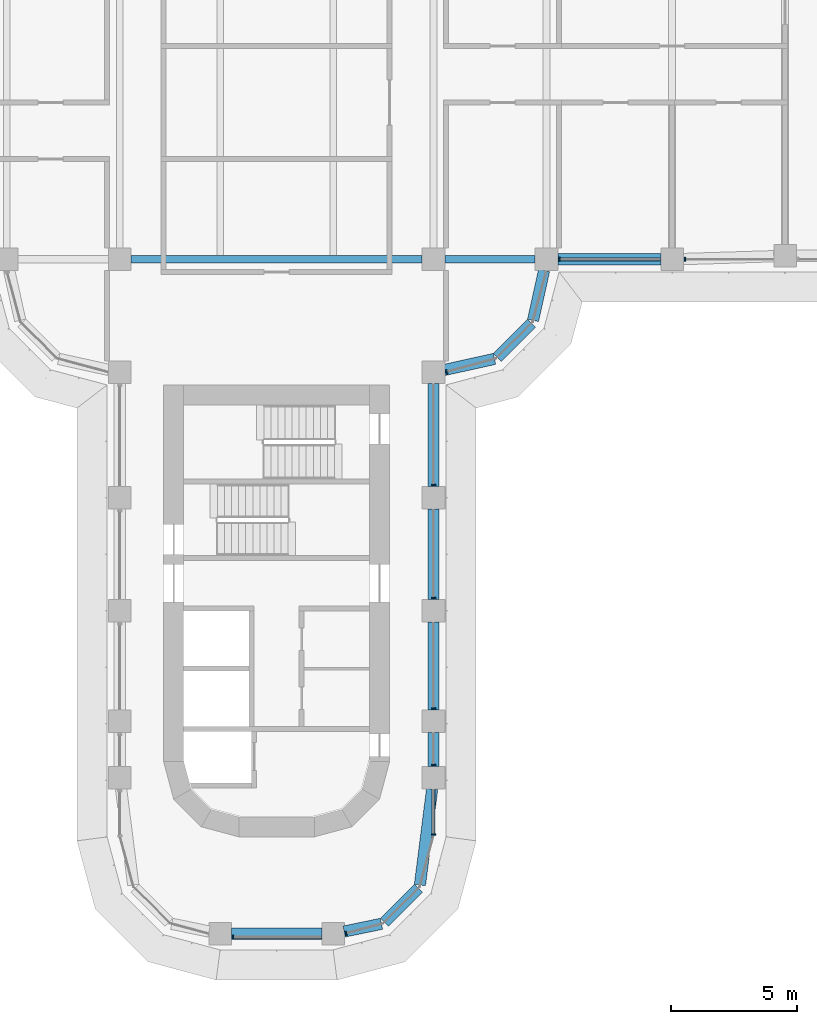
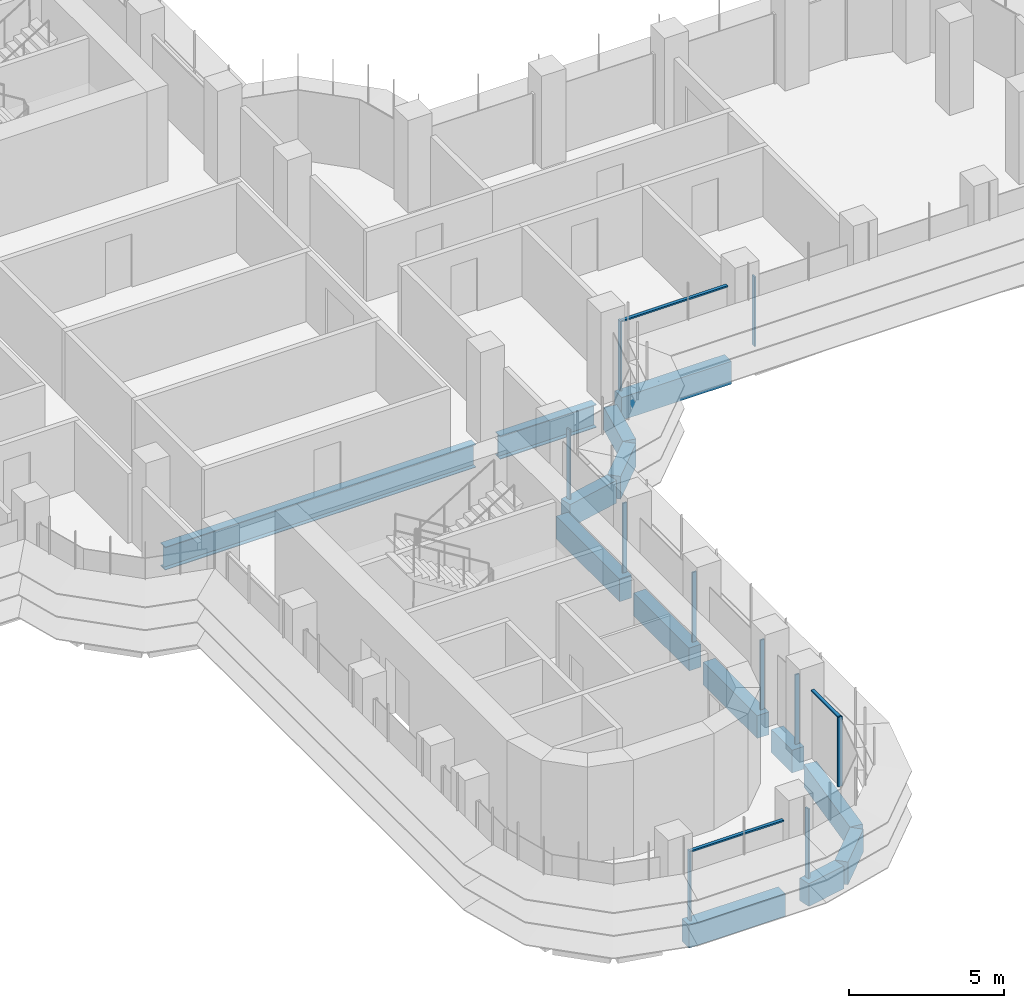
# One storey, part 4 of 22: 14 beams, 13 members, 5 elements without a shape of their own.
"""IFC4 building model written with IfcOpenShell, lengths in metres."""

import ifcopenshell
import ifcopenshell.guid

model = None  # the IFC model being written
_history = None  # IfcOwnerHistory: only IFC2X3 demands one
_inside = {}  # id of a spatial element -> (the spatial element, [elements in it])
_under = {}  # id of a project, library or spatial element -> (it, [spatial elements below it])
_declared = {}  # id of a project -> (the project, [libraries it declares])
_typed = {}  # id of a type object -> (the type object, [elements of that type])
_made_of = {}  # id of a material, layer set ... -> (it, [elements and type objects made of it])


def new_model(schema):
    """Start an empty IFC model of exactly this schema.

    Asked for "IFC4X3", IfcOpenShell would pick the latest addendum, in which some entities
    have other attributes; the version numbers below select the first issue.
    IFC2X3 requires an IfcOwnerHistory on every rooted entity: one is made here for all.
    """
    global model, _history
    if schema == "IFC4X3":
        model = ifcopenshell.file(schema_version=(4, 3, 0, 0))
    else:
        model = ifcopenshell.file(schema=schema)
    _inside.clear()
    _under.clear()
    _declared.clear()
    _typed.clear()
    _made_of.clear()
    _history = None
    if model.schema == "IFC2X3":
        org = make("IfcOrganization", Name="unknown")
        user = make(
            "IfcPersonAndOrganization",
            ThePerson=make("IfcPerson", FamilyName="unknown"),
            TheOrganization=org,
        )
        app = make(
            "IfcApplication",
            ApplicationDeveloper=org,
            Version="unknown",
            ApplicationFullName="unknown",
            ApplicationIdentifier="unknown",
        )
        _history = make(
            "IfcOwnerHistory",
            OwningUser=user,
            OwningApplication=app,
            ChangeAction="ADDED",
            CreationDate=0,
        )
    return model


def make(cls, **values):
    """One entity of the class cls with the attributes given. An attribute that is None is left unset."""
    return model.create_entity(
        cls, **{name: value for name, value in values.items() if value is not None}
    )


def rooted(cls, **values):
    """An entity with a GlobalId (a new one), such as an element, a storey or a relation."""
    return make(cls, GlobalId=ifcopenshell.guid.new(), OwnerHistory=_history, **values)


def si_unit(unit_type, name, prefix=None):
    """IfcSIUnit, for example si_unit("LENGTHUNIT", "METRE", prefix="MILLI")."""
    return make("IfcSIUnit", UnitType=unit_type, Prefix=prefix, Name=name)


def assignment(units):
    """IfcUnitAssignment: the units of a project."""
    return None if units is None else make("IfcUnitAssignment", Units=units)


def point(xyz):
    """IfcCartesianPoint."""
    return None if xyz is None else make("IfcCartesianPoint", Coordinates=xyz)


def direction(xyz):
    """IfcDirection."""
    return None if xyz is None else make("IfcDirection", DirectionRatios=xyz)


def frame(location, z_axis=None, x_axis=None):
    """IfcAxis2Placement3D, a coordinate frame: its origin and axes. An axis left out is left unset."""
    return make(
        "IfcAxis2Placement3D",
        Location=point(location),
        Axis=direction(z_axis),
        RefDirection=direction(x_axis),
    )


def frame_2d(location, x_axis=None):
    """IfcAxis2Placement2D, a coordinate frame in the plane: its origin and x axis."""
    return make(
        "IfcAxis2Placement2D", Location=point(location), RefDirection=direction(x_axis)
    )


def origin():
    """The frame at (0, 0, 0) with its axes left unset."""
    return frame((0.0, 0.0, 0.0))


def origin_2d():
    """The frame at (0, 0) in the plane with its x axis left unset."""
    return frame_2d((0.0, 0.0))


def place(relative_to, where):
    """IfcLocalPlacement: puts the frame where relative to a parent placement (None: the world)."""
    return make(
        "IfcLocalPlacement", PlacementRelTo=relative_to, RelativePlacement=where
    )


def context(
    kind, dimensions, precision=None, world=None, true_north=None, identifier=None
):
    """IfcGeometricRepresentationContext, for example the 3D "Model" context."""
    return make(
        "IfcGeometricRepresentationContext",
        ContextIdentifier=identifier,
        ContextType=kind,
        CoordinateSpaceDimension=dimensions,
        Precision=precision,
        WorldCoordinateSystem=world,
        TrueNorth=true_north,
    )


def subcontext(parent, identifier, kind, view, scale=None):
    """IfcGeometricRepresentationSubContext, for example "Body" below "Model"."""
    return make(
        "IfcGeometricRepresentationSubContext",
        ContextIdentifier=identifier,
        ContextType=kind,
        ParentContext=parent,
        TargetScale=scale,
        TargetView=view,
    )


def project(units=None, contexts=None):
    """IfcProject with its units and contexts."""
    return rooted(
        "IfcProject",
        Name="project",
        RepresentationContexts=contexts,
        UnitsInContext=assignment(units),
    )


def spatial(cls, under=None, at=None, **own):
    """A site, building, storey or space (cls), placed at a placement, below another one or the project."""
    s = rooted(cls, ObjectPlacement=at, **own)
    if under is not None:
        _under.setdefault(under.id(), (under, []))[1].append(s)
    return s


def polyline(points):
    """IfcPolyline through the points."""
    return make("IfcPolyline", Points=[point(p) for p in points])


def profile(cls, at=None, kind="AREA", **sizes):
    """A parametric profile (cls). Its sizes go by their IFC names, for example OverallWidth=200.0."""
    return make(cls, ProfileType=kind, Position=at, **sizes)


def rectangle(**sizes):
    """IfcRectangleProfileDef."""
    return profile("IfcRectangleProfileDef", **sizes)


def i_section(**sizes):
    """IfcIShapeProfileDef."""
    return profile("IfcIShapeProfileDef", **sizes)


def outline(outer, holes=None, kind="AREA"):
    """IfcArbitraryClosedProfileDef: a profile drawn as a closed curve; with holes, ...WithVoids."""
    if holes is None:
        return make("IfcArbitraryClosedProfileDef", ProfileType=kind, OuterCurve=outer)
    return make(
        "IfcArbitraryProfileDefWithVoids",
        ProfileType=kind,
        OuterCurve=outer,
        InnerCurves=holes,
    )


def extrude(swept, where, along, depth):
    """IfcExtrudedAreaSolid: the profile swept, set in the frame where, extruded along a direction by depth."""
    return make(
        "IfcExtrudedAreaSolid",
        SweptArea=swept,
        Position=where,
        ExtrudedDirection=direction(along),
        Depth=depth,
    )


def shape(context_of_items, identifier, shape_type, items):
    """IfcShapeRepresentation: the items that make up one representation, for example the "Body"."""
    return make(
        "IfcShapeRepresentation",
        ContextOfItems=context_of_items,
        RepresentationIdentifier=identifier,
        RepresentationType=shape_type,
        Items=items,
    )


def source(mapping_origin, context_of_items, identifier, shape_type, items):
    """IfcRepresentationMap: a shape defined once, which mapped items show again and again."""
    return make(
        "IfcRepresentationMap",
        MappingOrigin=mapping_origin,
        MappedRepresentation=shape(context_of_items, identifier, shape_type, items),
    )


def transform(
    local_origin,
    x_axis=None,
    y_axis=None,
    z_axis=None,
    scale=None,
    scale2=None,
    scale3=None,
    uniform=True,
):
    """IfcCartesianTransformationOperator3D, or its non-uniform kind. x_axis, y_axis, z_axis: its Axis1, 2, 3."""
    if uniform:
        return make(
            "IfcCartesianTransformationOperator3D",
            Axis1=direction(x_axis),
            Axis2=direction(y_axis),
            LocalOrigin=point(local_origin),
            Scale=scale,
            Axis3=direction(z_axis),
        )
    return make(
        "IfcCartesianTransformationOperator3DnonUniform",
        Axis1=direction(x_axis),
        Axis2=direction(y_axis),
        LocalOrigin=point(local_origin),
        Scale=scale,
        Axis3=direction(z_axis),
        Scale2=scale2,
        Scale3=scale3,
    )


def mapped(mapping_source, mapping_target):
    """IfcMappedItem: shows the shape of a source again, moved by a transform."""
    return make(
        "IfcMappedItem", MappingSource=mapping_source, MappingTarget=mapping_target
    )


def material(Name=None, Category=None):
    """IfcMaterial."""
    return make("IfcMaterial", Name=Name, Category=Category)


def material_profile(
    of_material, cross_section, Name=None, Category=None, Priority=None
):
    """IfcMaterialProfile: a cross section and its material."""
    return make(
        "IfcMaterialProfile",
        Name=Name,
        Material=of_material,
        Profile=cross_section,
        Priority=Priority,
        Category=Category,
    )


def profile_set(profiles, Name=None, composite=None):
    """IfcMaterialProfileSet."""
    return make(
        "IfcMaterialProfileSet",
        Name=Name,
        MaterialProfiles=profiles,
        CompositeProfile=composite,
    )


def made_of(thing, what):
    """Note that an element or type object is made of a material, layer set ...; save() writes the relation."""
    if what is not None:
        _made_of.setdefault(what.id(), (what, []))[1].append(thing)
    return thing


def type_object(cls, material=None, **own):
    """A type object (cls), such as IfcWallType, which elements share."""
    return made_of(rooted(cls, **own), material)


def element(
    cls,
    number,
    at=None,
    inside=None,
    cuts=None,
    type_object=None,
    material=None,
    context=None,
    identifier="Body",
    shape_type=None,
    held_by="IfcProductDefinitionShape",
    body=None,
    shapes=None,
    **own,
):
    """One element of the class cls, such as IfcWall. Its Tag is "e" and its number.

    at: its placement. inside: the storey or other place that contains it. cuts: it is an
    opening in that element (IfcRelVoidsElement). A single representation is given by context,
    identifier, shape_type and body (its items); several are given by shapes. held_by: the class
    of the entity that holds the representations. save() writes the other relations.
    """
    e = rooted(cls, Tag="e%d" % number, ObjectPlacement=at, **own)
    if body is not None:
        shapes = [shape(context, identifier, shape_type, body)]
    if shapes is not None:
        e.Representation = make(held_by, Representations=shapes)
    if inside is not None:
        _inside.setdefault(inside.id(), (inside, []))[1].append(e)
    if cuts is not None:
        rooted(
            "IfcRelVoidsElement", RelatingBuildingElement=cuts, RelatedOpeningElement=e
        )
    if type_object is not None:
        _typed.setdefault(type_object.id(), (type_object, []))[1].append(e)
    return made_of(e, material)


def aggregate(whole, parts):
    """IfcRelAggregates: a whole, such as a stair, and the parts it consists of."""
    return rooted("IfcRelAggregates", RelatingObject=whole, RelatedObjects=parts)


def save(model, path):
    """Write the relations noted so far, then the file.

    IfcRelAggregates (storeys below a building ...), IfcRelContainedInSpatialStructure (elements
    in a storey), IfcRelDefinesByType, IfcRelAssociatesMaterial and IfcRelDeclares: one each for
    every whole, place, type object, material and project.
    """
    for whole, parts in _under.values():
        aggregate(whole, parts)
    for where, things in _inside.values():
        rooted(
            "IfcRelContainedInSpatialStructure",
            RelatedElements=things,
            RelatingStructure=where,
        )
    for kind, things in _typed.values():
        rooted("IfcRelDefinesByType", RelatedObjects=things, RelatingType=kind)
    for what, things in _made_of.values():
        rooted("IfcRelAssociatesMaterial", RelatedObjects=things, RelatingMaterial=what)
    for by, libraries in _declared.values():
        rooted("IfcRelDeclares", RelatingContext=by, RelatedDefinitions=libraries)
    model.write(path)


model = new_model("IFC4")

# Units and contexts
model_context = context("Model", 3, precision=1e-05, world=origin(), true_north=direction((0.0, 1.0)))
body_context = subcontext(model_context, "Body", "Model", "MODEL_VIEW")
ifc_project = project(units=[si_unit("LENGTHUNIT", "METRE"), si_unit("AREAUNIT", "SQUARE_METRE"), si_unit("VOLUMEUNIT", "CUBIC_METRE"), si_unit("PLANEANGLEUNIT", "RADIAN"), si_unit("MASSUNIT", "GRAM", prefix="KILO")], contexts=[model_context])

# Site, building, storey
site_placement = place(None, origin())
site = spatial("IfcSite", under=ifc_project, at=site_placement, CompositionType="ELEMENT")
building_placement = place(site_placement, origin())
building = spatial("IfcBuilding", under=site, at=building_placement, Name="Zarbagh Exchange Tower", CompositionType="ELEMENT")
storey_placement = place(building_placement, frame((0.0, 0.0, 124.60009765625)))
storey = spatial("IfcBuildingStorey", under=building, at=storey_placement, Name="L29", CompositionType="ELEMENT", Elevation=124.60009765625)

# Beams
ifc_material_1 = material(Name="Steel ASTM A992 Gr 50", Category="steel")
ifc_material_profile_1 = material_profile(ifc_material_1, i_section(OverallWidth=0.3046875, OverallDepth=0.911865234375, WebThickness=0.015869140625, FlangeThickness=0.02392578125, at=origin_2d()), Name="W36X150")
ifc_profile_set_1 = profile_set([ifc_material_profile_1], Name="Steel ASTM A992 Gr 50")
beam_type_1 = type_object("IfcBeamType", Name="Floor girder W36X150", PredefinedType="BEAM", material=ifc_profile_set_1)
beam_1_placement = place(storey_placement, frame((-5.800048828125, -6.25, -0.60595703125), z_axis=(1.0, 0.0, 0.0), x_axis=(0.0, 1.0, 0.0)))
element("IfcBeam", 1, at=beam_1_placement, inside=storey, type_object=beam_type_1, Name="Steel girder", PredefinedType="BEAM", context=body_context, shape_type="SweptSolid", body=[
    extrude(i_section(OverallWidth=0.3046875, OverallDepth=0.911865234375, WebThickness=0.015869140625, FlangeThickness=0.02392578125, at=origin_2d()), origin(), (0.0, 0.0, 1.0), 11.60009765625),
])
beam_2_placement = place(storey_placement, frame((6.699951171875, -6.25, -0.60595703125), z_axis=(1.0, 0.0, 0.0), x_axis=(0.0, 1.0, 0.0)))
element("IfcBeam", 2, at=beam_2_placement, inside=storey, type_object=beam_type_1, Name="Steel girder", PredefinedType="BEAM", context=body_context, shape_type="SweptSolid", body=[
    extrude(i_section(OverallWidth=0.3046875, OverallDepth=0.911865234375, WebThickness=0.015869140625, FlangeThickness=0.02392578125, at=origin_2d()), origin(), (0.0, 0.0, 1.0), 3.60009765625),
])
ifc_material_2 = material(Name="Concrete C60/75", Category="concrete")
ifc_material_profile_2 = material_profile(ifc_material_2, rectangle(XDim=0.449951171875, YDim=0.89990234375, at=origin_2d()), Name="RC spandrel beam 450 x 900 C60/75")
ifc_profile_set_2 = profile_set([ifc_material_profile_2], Name="Concrete C60/75")
beam_type_2 = type_object("IfcBeamType", Name="RC spandrel beam 450 x 900 C60/75", PredefinedType="SPANDREL", material=ifc_profile_set_2)
beam_3_placement = place(storey_placement, frame((15.300048828125, -6.25, -0.60009765625), z_axis=(-1.0, 0.0, 0.0), x_axis=(0.0, -1.0, 0.0)))
element("IfcBeam", 3, at=beam_3_placement, inside=storey, type_object=beam_type_2, Name="RC spandrel beam", PredefinedType="SPANDREL", context=body_context, shape_type="SweptSolid", body=[
    extrude(rectangle(XDim=0.449951171875, YDim=0.89990234375, at=origin_2d()), origin(), (0.0, 0.0, 1.0), 4.10009765625),
])
beam_4_placement = place(storey_placement, frame((10.65283203125, -6.689453125, -0.60009765625), z_axis=(-0.216117666208, -0.976367325525, 0.0), x_axis=(0.976367325525, -0.216117666208, 0.0)))
element("IfcBeam", 4, at=beam_4_placement, inside=storey, type_object=beam_type_2, Name="RC spandrel beam", PredefinedType="SPANDREL", context=body_context, shape_type="SweptSolid", body=[
    extrude(rectangle(XDim=0.449951171875, YDim=0.89990234375, at=origin_2d()), origin(), (0.0, 0.0, 1.0), 2.03564453125),
])
beam_5_placement = place(storey_placement, frame((10.15234375, -8.78759765625, -0.60009765625), z_axis=(-0.707106781187, -0.707106781187, 0.0), x_axis=(0.707106781187, -0.707106781187, 0.0)))
element("IfcBeam", 5, at=beam_5_placement, inside=storey, type_object=beam_type_2, Name="RC spandrel beam", PredefinedType="SPANDREL", context=body_context, shape_type="SweptSolid", body=[
    extrude(rectangle(XDim=0.449951171875, YDim=0.89990234375, at=origin_2d()), origin(), (0.0, 0.0, 1.0), 1.929931640625),
])
beam_6_placement = place(storey_placement, frame((8.677001953125, -10.212890625, -0.60009765625), z_axis=(-0.976367325525, -0.216117666208, 0.0), x_axis=(0.216117666208, -0.976367325525, 0.0)))
element("IfcBeam", 6, at=beam_6_placement, inside=storey, type_object=beam_type_2, Name="RC spandrel beam", PredefinedType="SPANDREL", context=body_context, shape_type="SweptSolid", body=[
    extrude(rectangle(XDim=0.449951171875, YDim=0.89990234375, at=origin_2d()), origin(), (0.0, 0.0, 1.0), 2.03564453125),
])
beam_7_placement = place(storey_placement, frame((6.25, -11.199951171875, -0.60009765625), z_axis=(0.0, -1.0, 0.0), x_axis=(1.0, 0.0, 0.0)))
element("IfcBeam", 7, at=beam_7_placement, inside=storey, type_object=beam_type_2, Name="RC spandrel beam", PredefinedType="SPANDREL", context=body_context, shape_type="SweptSolid", body=[
    extrude(rectangle(XDim=0.449951171875, YDim=0.89990234375, at=origin_2d()), origin(), (0.0, 0.0, 1.0), 4.10009765625),
])
beam_8_placement = place(storey_placement, frame((6.25, -16.199951171875, -0.60009765625), z_axis=(0.0, -1.0, 0.0), x_axis=(1.0, 0.0, 0.0)))
element("IfcBeam", 8, at=beam_8_placement, inside=storey, type_object=beam_type_2, Name="RC spandrel beam", PredefinedType="SPANDREL", context=body_context, shape_type="SweptSolid", body=[
    extrude(rectangle(XDim=0.449951171875, YDim=0.89990234375, at=origin_2d()), origin(), (0.0, 0.0, 1.0), 3.60009765625),
])
beam_9_placement = place(storey_placement, frame((6.25, -20.699951171875, -0.60009765625), z_axis=(0.0, -1.0, 0.0), x_axis=(1.0, 0.0, 0.0)))
element("IfcBeam", 9, at=beam_9_placement, inside=storey, type_object=beam_type_2, Name="RC spandrel beam", PredefinedType="SPANDREL", context=body_context, shape_type="SweptSolid", body=[
    extrude(rectangle(XDim=0.449951171875, YDim=0.89990234375, at=origin_2d()), origin(), (0.0, 0.0, 1.0), 3.5),
])
beam_10_placement = place(storey_placement, frame((6.25, -25.10009765625, -0.60009765625), z_axis=(0.0, -1.0, 0.0), x_axis=(1.0, 0.0, 0.0)))
element("IfcBeam", 10, at=beam_10_placement, inside=storey, type_object=beam_type_2, Name="RC spandrel beam", PredefinedType="SPANDREL", context=body_context, shape_type="SweptSolid", body=[
    extrude(rectangle(XDim=0.449951171875, YDim=0.89990234375, at=origin_2d()), origin(), (0.0, 0.0, 1.0), 1.349853515625),
])
beam_11_placement = place(storey_placement, frame((6.193359375, -27.346435546875, -0.60009765625), z_axis=(-0.12597055537, -0.992033980859, 0.0), x_axis=(0.992033980859, -0.12597055537, 0.0)))
element("IfcBeam", 11, at=beam_11_placement, inside=storey, type_object=beam_type_2, Name="RC spandrel beam", PredefinedType="SPANDREL", context=body_context, shape_type="SweptSolid", body=[
    extrude(rectangle(XDim=0.449951171875, YDim=0.89990234375, at=origin_2d()), origin(), (0.0, 0.0, 1.0), 3.84912109375),
])
beam_12_placement = place(storey_placement, frame((5.644287109375, -31.295654296875, -0.60009765625), z_axis=(-0.707106781187, -0.707106781187, 0.0), x_axis=(0.707106781187, -0.707106781187, 0.0)))
element("IfcBeam", 12, at=beam_12_placement, inside=storey, type_object=beam_type_2, Name="RC spandrel beam", PredefinedType="SPANDREL", context=body_context, shape_type="SweptSolid", body=[
    extrude(rectangle(XDim=0.449951171875, YDim=0.89990234375, at=origin_2d()), origin(), (0.0, 0.0, 1.0), 1.9169921875),
])
beam_13_placement = place(storey_placement, frame((4.17529296875, -32.71240234375, -0.60009765625), z_axis=(-0.979328675816, -0.202275417995, 0.0), x_axis=(0.202275417995, -0.979328675816, 0.0)))
element("IfcBeam", 13, at=beam_13_placement, inside=storey, type_object=beam_type_2, Name="RC spandrel beam", PredefinedType="SPANDREL", context=body_context, shape_type="SweptSolid", body=[
    extrude(rectangle(XDim=0.449951171875, YDim=0.89990234375, at=origin_2d()), origin(), (0.0, 0.0, 1.0), 1.515869140625),
])
beam_14_placement = place(storey_placement, frame((1.800048828125, -33.110107421875, -0.60009765625), z_axis=(-1.0, 0.0, 0.0), x_axis=(0.0, -1.0, 0.0)))
element("IfcBeam", 14, at=beam_14_placement, inside=storey, type_object=beam_type_2, Name="RC spandrel beam", PredefinedType="SPANDREL", context=body_context, shape_type="SweptSolid", body=[
    extrude(rectangle(XDim=0.449951171875, YDim=0.89990234375, at=origin_2d()), origin(), (0.0, 0.0, 1.0), 3.60009765625),
])

# Curtain wall, member
ifc_material_3 = material(Name="Anodised aluminium frame and glazing", Category="aluminium")
curtain_wall_type = type_object("IfcCurtainWallType", Name="CWA Ribbon glazing, lower zones", PredefinedType="NOTDEFINED", material=ifc_material_3)
curtain_wall_1_placement = place(storey_placement, origin())
curtain_wall_1 = element("IfcCurtainWall", 15, at=curtain_wall_1_placement, inside=storey, type_object=curtain_wall_type, Name="CWA01 curtain wall", PredefinedType="NOTDEFINED")
ifc_material_4 = material(Name="Anodised aluminium frame", Category="aluminium")
member_type_1 = type_object("IfcMemberType", Name="MUA Mullion, anodised aluminium frame", PredefinedType="MULLION", material=ifc_material_4)
shared_shape_1 = source(origin(), body_context, "Body", "SweptSolid", [
    extrude(outline(polyline([(0.0, -0.080078125), (0.06005859375, -0.080078125), (0.06005859375, 0.080078125), (0.0, 0.080078125), (0.0, -0.080078125)])), origin(), (0.0, 0.0, 1.0), 2.75),
])
placement = place(storey_placement, origin())
member_1 = element("IfcMember", 16, at=placement, type_object=member_type_1, Name="CWA01 mullion 1.1", PredefinedType="MULLION", context=body_context, shape_type="MappedRepresentation", body=[
    mapped(shared_shape_1, transform((2.739990234375, -33.10107421875, 0.0), x_axis=(0.965924289636, 0.258824779902, 0.0), y_axis=(-0.258824779902, 0.965924289636, 0.0), z_axis=(0.0, 0.0, 1.0))),
])
aggregate(curtain_wall_1, [member_1])

# Curtain wall, members
curtain_wall_2_placement = place(storey_placement, origin())
curtain_wall_2 = element("IfcCurtainWall", 17, at=curtain_wall_2_placement, inside=storey, type_object=curtain_wall_type, Name="CWA04 curtain wall", PredefinedType="NOTDEFINED")
member_2 = element("IfcMember", 18, at=placement, type_object=member_type_1, Name="CWA04 mullion 1.1", PredefinedType="MULLION", context=body_context, shape_type="MappedRepresentation", body=[
    mapped(shared_shape_1, transform((6.25, -29.18408203125, 0.0), x_axis=(0.0, 1.0, 0.0), y_axis=(-1.0, 0.0, 0.0), z_axis=(0.0, 0.0, 1.0))),
])
member_3 = element("IfcMember", 19, at=placement, type_object=member_type_1, Name="CWA04 mullion 2.1", PredefinedType="MULLION", context=body_context, shape_type="MappedRepresentation", body=[
    mapped(shared_shape_1, transform((6.25, -26.409912109375, 0.0), x_axis=(0.0, 1.0, 0.0), y_axis=(-1.0, 0.0, 0.0), z_axis=(0.0, 0.0, 1.0))),
])
member_4 = element("IfcMember", 20, at=placement, type_object=member_type_1, Name="CWA04 mullion 3.1", PredefinedType="MULLION", context=body_context, shape_type="MappedRepresentation", body=[
    mapped(shared_shape_1, transform((6.25, -24.159912109375, 0.0), x_axis=(0.0, 1.0, 0.0), y_axis=(-1.0, 0.0, 0.0), z_axis=(0.0, 0.0, 1.0))),
])
member_5 = element("IfcMember", 21, at=placement, type_object=member_type_1, Name="CWA04 mullion 4.1", PredefinedType="MULLION", context=body_context, shape_type="MappedRepresentation", body=[
    mapped(shared_shape_1, transform((6.25, -19.760009765625, 0.0), x_axis=(0.0, 1.0, 0.0), y_axis=(-1.0, 0.0, 0.0), z_axis=(0.0, 0.0, 1.0))),
])
member_6 = element("IfcMember", 22, at=placement, type_object=member_type_1, Name="CWA04 mullion 5.1", PredefinedType="MULLION", context=body_context, shape_type="MappedRepresentation", body=[
    mapped(shared_shape_1, transform((6.25, -15.260009765625, 0.0), x_axis=(0.0, 1.0, 0.0), y_axis=(-1.0, 0.0, 0.0), z_axis=(0.0, 0.0, 1.0))),
])

# Curtain wall, member
curtain_wall_3_placement = place(storey_placement, origin())
curtain_wall_3 = element("IfcCurtainWall", 23, at=curtain_wall_3_placement, inside=storey, type_object=curtain_wall_type, Name="CWA05 curtain wall", PredefinedType="NOTDEFINED")
member_7 = element("IfcMember", 24, at=placement, type_object=member_type_1, Name="CWA05 mullion 1.1", PredefinedType="MULLION", context=body_context, shape_type="MappedRepresentation", body=[
    mapped(shared_shape_1, transform((6.739990234375, -10.735107421875, 0.0), x_axis=(0.965924289636, 0.258824779902, 0.0), y_axis=(-0.258824779902, 0.965924289636, 0.0), z_axis=(0.0, 0.0, 1.0))),
])
aggregate(curtain_wall_3, [member_7])

# Curtain wall, members
curtain_wall_4_placement = place(storey_placement, origin())
curtain_wall_4 = element("IfcCurtainWall", 25, at=curtain_wall_4_placement, inside=storey, type_object=curtain_wall_type, Name="CWA58 curtain wall", PredefinedType="NOTDEFINED")
member_8 = element("IfcMember", 26, at=placement, type_object=member_type_1, Name="CWA58 mullion 1.1", PredefinedType="MULLION", context=body_context, shape_type="MappedRepresentation", body=[
    mapped(shared_shape_1, transform((11.239990234375, -6.25, 0.0), x_axis=(1.0, 0.0, 0.0), y_axis=(0.0, 1.0, 0.0), z_axis=(0.0, 0.0, 1.0))),
])
member_9 = element("IfcMember", 27, at=placement, type_object=member_type_1, Name="CWA58 mullion 2.1", PredefinedType="MULLION", context=body_context, shape_type="MappedRepresentation", body=[
    mapped(shared_shape_1, transform((16.239990234375, -6.25, 0.0), x_axis=(1.0, 0.0, 0.0), y_axis=(0.0, 1.0, 0.0), z_axis=(0.0, 0.0, 1.0))),
])

# Curtain wall, member
curtain_wall_5_placement = place(storey_placement, origin())
curtain_wall_5 = element("IfcCurtainWall", 28, at=curtain_wall_5_placement, inside=storey, type_object=curtain_wall_type, Name="CWA48 curtain wall", PredefinedType="NOTDEFINED")
member_10 = element("IfcMember", 29, at=placement, type_object=member_type_1, Name="CWA48 mullion 1.1", PredefinedType="MULLION", context=body_context, shape_type="MappedRepresentation", body=[
    mapped(shared_shape_1, transform((-1.760009765625, -33.25, 0.0), x_axis=(1.0, 0.0, 0.0), y_axis=(0.0, 1.0, 0.0), z_axis=(0.0, 0.0, 1.0))),
])

# Member
member_type_2 = type_object("IfcMemberType", Name="TRA Transom, anodised aluminium frame", PredefinedType="USERDEFINED", material=ifc_material_4)
shared_shape_2 = source(origin(), body_context, "Body", "SweptSolid", [
    extrude(outline(polyline([(-0.06005859375, -0.06005859375), (0.0, -0.06005859375), (0.0, 0.06005859375), (-0.06005859375, 0.06005859375), (-0.06005859375, -0.06005859375)])), origin(), (0.0, 0.0, 1.0), 1.734130859375),
])
member_11 = element("IfcMember", 30, at=placement, type_object=member_type_2, Name="CWA04 transom 1.1", ObjectType="TRANSOM", PredefinedType="USERDEFINED", context=body_context, shape_type="MappedRepresentation", body=[
    mapped(shared_shape_2, transform((6.25, -29.124267578125, 2.75), x_axis=(0.0, 0.0, 1.0), y_axis=(1.0, 0.0, 0.0), z_axis=(0.0, 1.0, 0.0))),
])

aggregate(curtain_wall_2, [member_2, member_11, member_3, member_4, member_5, member_6])

shared_shape_3 = source(origin(), body_context, "Body", "SweptSolid", [
    extrude(outline(polyline([(-0.06005859375, -0.06005859375), (0.0, -0.06005859375), (0.0, 0.06005859375), (-0.06005859375, 0.06005859375), (-0.06005859375, -0.06005859375)])), origin(), (0.0, 0.0, 1.0), 3.9599609375),
])
member_12 = element("IfcMember", 31, at=placement, type_object=member_type_2, Name="CWA58 transom 1.1", ObjectType="TRANSOM", PredefinedType="USERDEFINED", context=body_context, shape_type="MappedRepresentation", body=[
    mapped(shared_shape_3, transform((11.300048828125, -6.25, 2.75), x_axis=(0.0, 0.0, 1.0), y_axis=(0.0, -1.0, 0.0), z_axis=(1.0, 0.0, 0.0))),
])

aggregate(curtain_wall_4, [member_8, member_12, member_9])

shared_shape_4 = source(origin(), body_context, "Body", "SweptSolid", [
    extrude(outline(polyline([(-0.06005859375, -0.06005859375), (0.0, -0.06005859375), (0.0, 0.06005859375), (-0.06005859375, 0.06005859375), (-0.06005859375, -0.06005859375)])), origin(), (0.0, 0.0, 1.0), 3.4599609375),
])
member_13 = element("IfcMember", 32, at=placement, type_object=member_type_2, Name="CWA48 transom 1.1", ObjectType="TRANSOM", PredefinedType="USERDEFINED", context=body_context, shape_type="MappedRepresentation", body=[
    mapped(shared_shape_4, transform((-1.699951171875, -33.25, 2.75), x_axis=(0.0, 0.0, 1.0), y_axis=(0.0, -1.0, 0.0), z_axis=(1.0, 0.0, 0.0))),
])

aggregate(curtain_wall_5, [member_10, member_13])

save(model, "model.ifc")
